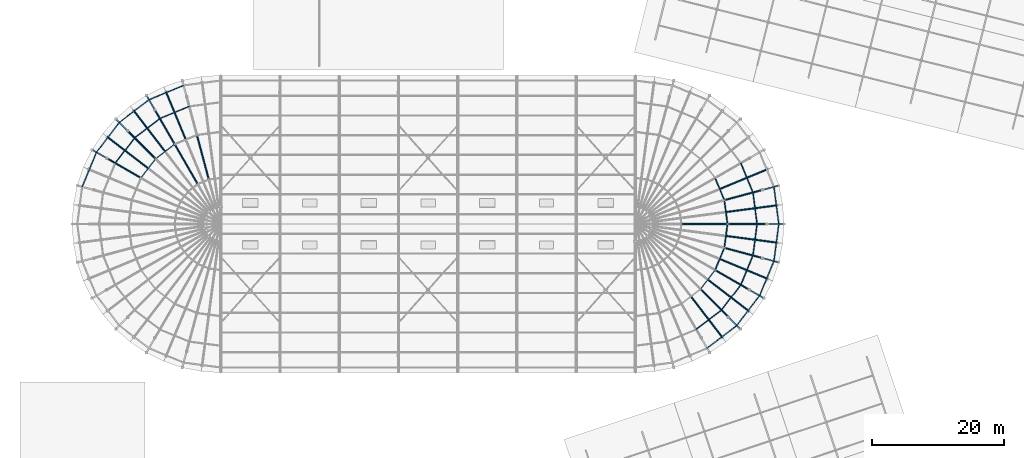
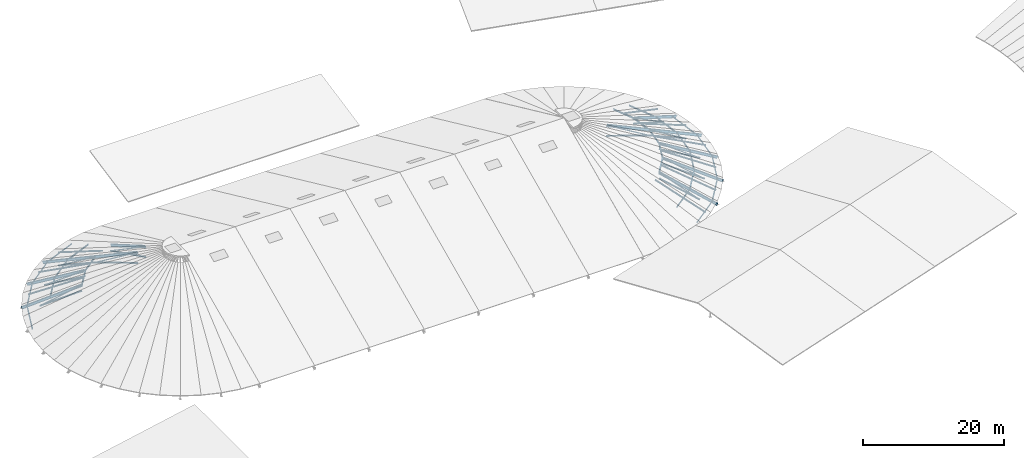
# One storey, part 41 of 107: 67 members.
"""IFC4 building model written with IfcOpenShell, lengths in metres."""

import ifcopenshell
import ifcopenshell.guid

model = None  # the IFC model being written
_history = None  # IfcOwnerHistory: only IFC2X3 demands one
_inside = {}  # id of a spatial element -> (the spatial element, [elements in it])
_under = {}  # id of a project, library or spatial element -> (it, [spatial elements below it])
_declared = {}  # id of a project -> (the project, [libraries it declares])
_typed = {}  # id of a type object -> (the type object, [elements of that type])
_made_of = {}  # id of a material, layer set ... -> (it, [elements and type objects made of it])


def new_model(schema):
    """Start an empty IFC model of exactly this schema.

    Asked for "IFC4X3", IfcOpenShell would pick the latest addendum, in which some entities
    have other attributes; the version numbers below select the first issue.
    IFC2X3 requires an IfcOwnerHistory on every rooted entity: one is made here for all.
    """
    global model, _history
    if schema == "IFC4X3":
        model = ifcopenshell.file(schema_version=(4, 3, 0, 0))
    else:
        model = ifcopenshell.file(schema=schema)
    _inside.clear()
    _under.clear()
    _declared.clear()
    _typed.clear()
    _made_of.clear()
    _history = None
    if model.schema == "IFC2X3":
        org = make("IfcOrganization", Name="unknown")
        user = make(
            "IfcPersonAndOrganization",
            ThePerson=make("IfcPerson", FamilyName="unknown"),
            TheOrganization=org,
        )
        app = make(
            "IfcApplication",
            ApplicationDeveloper=org,
            Version="unknown",
            ApplicationFullName="unknown",
            ApplicationIdentifier="unknown",
        )
        _history = make(
            "IfcOwnerHistory",
            OwningUser=user,
            OwningApplication=app,
            ChangeAction="ADDED",
            CreationDate=0,
        )
    return model


def make(cls, **values):
    """One entity of the class cls with the attributes given. An attribute that is None is left unset."""
    return model.create_entity(
        cls, **{name: value for name, value in values.items() if value is not None}
    )


def rooted(cls, **values):
    """An entity with a GlobalId (a new one), such as an element, a storey or a relation."""
    return make(cls, GlobalId=ifcopenshell.guid.new(), OwnerHistory=_history, **values)


def si_unit(unit_type, name, prefix=None):
    """IfcSIUnit, for example si_unit("LENGTHUNIT", "METRE", prefix="MILLI")."""
    return make("IfcSIUnit", UnitType=unit_type, Prefix=prefix, Name=name)


def derived_unit(unit_type, elements):
    """IfcDerivedUnit: a product of units, each with its exponent."""
    return make(
        "IfcDerivedUnit",
        Elements=[
            make("IfcDerivedUnitElement", Unit=unit, Exponent=power)
            for unit, power in elements
        ],
        UnitType=unit_type,
    )


def assignment(units):
    """IfcUnitAssignment: the units of a project."""
    return None if units is None else make("IfcUnitAssignment", Units=units)


def point(xyz):
    """IfcCartesianPoint."""
    return None if xyz is None else make("IfcCartesianPoint", Coordinates=xyz)


def direction(xyz):
    """IfcDirection."""
    return None if xyz is None else make("IfcDirection", DirectionRatios=xyz)


def frame(location, z_axis=None, x_axis=None):
    """IfcAxis2Placement3D, a coordinate frame: its origin and axes. An axis left out is left unset."""
    return make(
        "IfcAxis2Placement3D",
        Location=point(location),
        Axis=direction(z_axis),
        RefDirection=direction(x_axis),
    )


def frame_2d(location, x_axis=None):
    """IfcAxis2Placement2D, a coordinate frame in the plane: its origin and x axis."""
    return make(
        "IfcAxis2Placement2D", Location=point(location), RefDirection=direction(x_axis)
    )


def origin():
    """The frame at (0, 0, 0) with its axes left unset."""
    return frame((0.0, 0.0, 0.0))


def origin_2d():
    """The frame at (0, 0) in the plane with its x axis left unset."""
    return frame_2d((0.0, 0.0))


def place(relative_to, where):
    """IfcLocalPlacement: puts the frame where relative to a parent placement (None: the world)."""
    return make(
        "IfcLocalPlacement", PlacementRelTo=relative_to, RelativePlacement=where
    )


def context(
    kind, dimensions, precision=None, world=None, true_north=None, identifier=None
):
    """IfcGeometricRepresentationContext, for example the 3D "Model" context."""
    return make(
        "IfcGeometricRepresentationContext",
        ContextIdentifier=identifier,
        ContextType=kind,
        CoordinateSpaceDimension=dimensions,
        Precision=precision,
        WorldCoordinateSystem=world,
        TrueNorth=true_north,
    )


def subcontext(parent, identifier, kind, view, scale=None):
    """IfcGeometricRepresentationSubContext, for example "Body" below "Model"."""
    return make(
        "IfcGeometricRepresentationSubContext",
        ContextIdentifier=identifier,
        ContextType=kind,
        ParentContext=parent,
        TargetScale=scale,
        TargetView=view,
    )


def project(units=None, contexts=None):
    """IfcProject with its units and contexts."""
    return rooted(
        "IfcProject",
        Name="project",
        RepresentationContexts=contexts,
        UnitsInContext=assignment(units),
    )


def spatial(cls, under=None, at=None, **own):
    """A site, building, storey or space (cls), placed at a placement, below another one or the project."""
    s = rooted(cls, ObjectPlacement=at, **own)
    if under is not None:
        _under.setdefault(under.id(), (under, []))[1].append(s)
    return s


def profile(cls, at=None, kind="AREA", **sizes):
    """A parametric profile (cls). Its sizes go by their IFC names, for example OverallWidth=200.0."""
    return make(cls, ProfileType=kind, Position=at, **sizes)


def hollow_rectangle(**sizes):
    """IfcRectangleHollowProfileDef."""
    return profile("IfcRectangleHollowProfileDef", **sizes)


def hollow_circle(**sizes):
    """IfcCircleHollowProfileDef."""
    return profile("IfcCircleHollowProfileDef", **sizes)


def i_section(**sizes):
    """IfcIShapeProfileDef."""
    return profile("IfcIShapeProfileDef", **sizes)


def extrude(swept, where, along, depth):
    """IfcExtrudedAreaSolid: the profile swept, set in the frame where, extruded along a direction by depth."""
    return make(
        "IfcExtrudedAreaSolid",
        SweptArea=swept,
        Position=where,
        ExtrudedDirection=direction(along),
        Depth=depth,
    )


def shape(context_of_items, identifier, shape_type, items):
    """IfcShapeRepresentation: the items that make up one representation, for example the "Body"."""
    return make(
        "IfcShapeRepresentation",
        ContextOfItems=context_of_items,
        RepresentationIdentifier=identifier,
        RepresentationType=shape_type,
        Items=items,
    )


def material(Name=None, Category=None):
    """IfcMaterial."""
    return make("IfcMaterial", Name=Name, Category=Category)


def material_profile(
    of_material, cross_section, Name=None, Category=None, Priority=None
):
    """IfcMaterialProfile: a cross section and its material."""
    return make(
        "IfcMaterialProfile",
        Name=Name,
        Material=of_material,
        Profile=cross_section,
        Priority=Priority,
        Category=Category,
    )


def profile_set(profiles, Name=None, composite=None):
    """IfcMaterialProfileSet."""
    return make(
        "IfcMaterialProfileSet",
        Name=Name,
        MaterialProfiles=profiles,
        CompositeProfile=composite,
    )


def made_of(thing, what):
    """Note that an element or type object is made of a material, layer set ...; save() writes the relation."""
    if what is not None:
        _made_of.setdefault(what.id(), (what, []))[1].append(thing)
    return thing


def type_object(cls, material=None, **own):
    """A type object (cls), such as IfcWallType, which elements share."""
    return made_of(rooted(cls, **own), material)


def element(
    cls,
    number,
    at=None,
    inside=None,
    cuts=None,
    type_object=None,
    material=None,
    context=None,
    identifier="Body",
    shape_type=None,
    held_by="IfcProductDefinitionShape",
    body=None,
    shapes=None,
    **own,
):
    """One element of the class cls, such as IfcWall. Its Tag is "e" and its number.

    at: its placement. inside: the storey or other place that contains it. cuts: it is an
    opening in that element (IfcRelVoidsElement). A single representation is given by context,
    identifier, shape_type and body (its items); several are given by shapes. held_by: the class
    of the entity that holds the representations. save() writes the other relations.
    """
    e = rooted(cls, Tag="e%d" % number, ObjectPlacement=at, **own)
    if body is not None:
        shapes = [shape(context, identifier, shape_type, body)]
    if shapes is not None:
        e.Representation = make(held_by, Representations=shapes)
    if inside is not None:
        _inside.setdefault(inside.id(), (inside, []))[1].append(e)
    if cuts is not None:
        rooted(
            "IfcRelVoidsElement", RelatingBuildingElement=cuts, RelatedOpeningElement=e
        )
    if type_object is not None:
        _typed.setdefault(type_object.id(), (type_object, []))[1].append(e)
    return made_of(e, material)


def aggregate(whole, parts):
    """IfcRelAggregates: a whole, such as a stair, and the parts it consists of."""
    return rooted("IfcRelAggregates", RelatingObject=whole, RelatedObjects=parts)


def save(model, path):
    """Write the relations noted so far, then the file.

    IfcRelAggregates (storeys below a building ...), IfcRelContainedInSpatialStructure (elements
    in a storey), IfcRelDefinesByType, IfcRelAssociatesMaterial and IfcRelDeclares: one each for
    every whole, place, type object, material and project.
    """
    for whole, parts in _under.values():
        aggregate(whole, parts)
    for where, things in _inside.values():
        rooted(
            "IfcRelContainedInSpatialStructure",
            RelatedElements=things,
            RelatingStructure=where,
        )
    for kind, things in _typed.values():
        rooted("IfcRelDefinesByType", RelatedObjects=things, RelatingType=kind)
    for what, things in _made_of.values():
        rooted("IfcRelAssociatesMaterial", RelatedObjects=things, RelatingMaterial=what)
    for by, libraries in _declared.values():
        rooted("IfcRelDeclares", RelatingContext=by, RelatedDefinitions=libraries)
    model.write(path)


model = new_model("IFC4")

# Units and contexts
model_context = context("Model", 3, precision=1e-05, world=origin(), true_north=direction((0.0, 1.0)))
body_context = subcontext(model_context, "Body", "Model", "MODEL_VIEW")
ifc_project = project(units=[si_unit("LENGTHUNIT", "METRE"), si_unit("AREAUNIT", "SQUARE_METRE"), si_unit("VOLUMEUNIT", "CUBIC_METRE"), si_unit("PLANEANGLEUNIT", "RADIAN"), si_unit("MASSUNIT", "GRAM", prefix="KILO"), si_unit("THERMODYNAMICTEMPERATUREUNIT", "KELVIN"), si_unit("TIMEUNIT", "SECOND"), derived_unit("THERMALTRANSMITTANCEUNIT", [(si_unit("MASSUNIT", "GRAM", prefix="KILO"), 1), (si_unit("THERMODYNAMICTEMPERATUREUNIT", "KELVIN"), -1), (si_unit("TIMEUNIT", "SECOND"), -3)])], contexts=[model_context])

# Site, building, storey
site_placement = place(None, origin())
site = spatial("IfcSite", under=ifc_project, at=site_placement, CompositionType="ELEMENT")
building_placement = place(site_placement, origin())
building = spatial("IfcBuilding", under=site, at=building_placement, Name="Cambertide Market Hall", CompositionType="ELEMENT")
storey_placement = place(building_placement, frame((0.0, 0.0, 18.300048828125)))
storey = spatial("IfcBuildingStorey", under=building, at=storey_placement, Name="RF", CompositionType="ELEMENT", Elevation=18.300048828125)

# Members
ifc_material_1 = material(Name="Steel S355", Category="steel")
ifc_material_profile_1 = material_profile(ifc_material_1, hollow_circle(Radius=0.136474609375, WallThickness=0.010009765625, at=origin_2d()), Name="CHS 273x10")
ifc_profile_set_1 = profile_set([ifc_material_profile_1], Name="Steel S355")
member_type_1 = type_object("IfcMemberType", Name="Arched Truss Chord CHS 273x10", PredefinedType="CHORD", material=ifc_profile_set_1)
member_1_placement = place(storey_placement, frame((40.188232421875, 78.761474609375, -5.381591796875), z_axis=(-0.245105868419, 0.914729420004, -0.321236986422), x_axis=(-0.965924543531, -0.258823832372, 0.0)))
element("IfcMember", 1, at=member_1_placement, inside=storey, type_object=member_type_1, Name="Half-Cone Radial Arch Chord W-02-2", PredefinedType="CHORD", context=body_context, shape_type="SweptSolid", body=[
    extrude(hollow_circle(Radius=0.136474609375, WallThickness=0.010009765625, at=origin_2d()), origin(), (0.0, 0.0, 1.0), 7.391845703125),
])
member_2_placement = place(storey_placement, frame((38.5, 78.062255859375, -5.381591796875), z_axis=(-0.473508125204, 0.820117658259, -0.321243026348), x_axis=(-0.866019471182, -0.500010275428, 0.0)))
element("IfcMember", 2, at=member_2_placement, inside=storey, type_object=member_type_1, Name="Half-Cone Radial Arch Chord W-04-2", PredefinedType="CHORD", context=body_context, shape_type="SweptSolid", body=[
    extrude(hollow_circle(Radius=0.136474609375, WallThickness=0.010009765625, at=origin_2d()), origin(), (0.0, 0.0, 1.0), 7.3916015625),
])
for number, where, z_axis, x_axis, name in (
    (3, (35.0, 84.124267578125, -7.756103515625), (-0.458098458952, 0.7934706706, -0.400687030991), (-0.866031096941, -0.499990139034, 0.0), "Half-Cone Radial Arch Chord W-04-3"),
    (4, (32.1005859375, 81.8994140625, -7.756103515625), (-0.647860639623, 0.647860639623, -0.400690882419), (-0.707106781187, -0.707106781187, 0.0), "Half-Cone Radial Arch Chord W-06-3"),
    (5, (29.875732421875, 79.0, -7.756103515625), (-0.7934706706, 0.458098458952, -0.400687030991), (-0.499990139034, -0.866031096941, 0.0), "Half-Cone Radial Arch Chord W-08-3"),
    (6, (114.8994140625, 62.1005859375, -7.756103515625), (0.647860639623, -0.647860639623, -0.400690882419), (0.707106781187, 0.707106781187, 0.0), "Half-Cone Radial Arch Chord E-06-3"),
    (7, (117.124267578125, 65.0, -7.756103515625), (0.7934706706, -0.458098458952, -0.400687030991), (0.499990139034, 0.866031096941, 0.0), "Half-Cone Radial Arch Chord E-08-3"),
    (8, (118.52294921875, 68.37646484375, -7.756103515625), (0.885001969521, -0.23710402823, -0.400690895506), (0.258786931944, 0.965934430412, 0.0), "Half-Cone Radial Arch Chord E-10-3"),
):
    element("IfcMember", number, at=place(storey_placement, frame(where, z_axis=z_axis, x_axis=x_axis)), inside=storey, type_object=member_type_1, Name=name, PredefinedType="CHORD", context=body_context, shape_type="SweptSolid", body=[
        extrude(hollow_circle(Radius=0.136474609375, WallThickness=0.010009765625, at=origin_2d()), origin(), (0.0, 0.0, 1.0), 6.548828125),
    ])
member_3_placement = place(storey_placement, frame((112.0, 72.0, -5.381591796875), z_axis=(0.946998797137, 0.0, -0.321237105921), x_axis=(0.0, 1.0, 0.0)))
element("IfcMember", 9, at=member_3_placement, inside=storey, type_object=member_type_1, Name="Half-Cone Radial Arch Chord E-12-2", PredefinedType="CHORD", context=body_context, shape_type="SweptSolid", body=[
    extrude(hollow_circle(Radius=0.136474609375, WallThickness=0.010009765625, at=origin_2d()), origin(), (0.0, 0.0, 1.0), 7.391845703125),
])
member_4_placement = place(storey_placement, frame((119.0, 72.0, -7.756103515625), z_axis=(0.916212086296, 0.0, -0.400693664693), x_axis=(0.0, 1.0, 0.0)))
element("IfcMember", 10, at=member_4_placement, inside=storey, type_object=member_type_1, Name="Half-Cone Radial Arch Chord E-12-3", PredefinedType="CHORD", context=body_context, shape_type="SweptSolid", body=[
    extrude(hollow_circle(Radius=0.136474609375, WallThickness=0.010009765625, at=origin_2d()), origin(), (0.0, 0.0, 1.0), 6.548583984375),
])
member_5_placement = place(storey_placement, frame((118.52294921875, 75.62353515625, -7.756103515625), z_axis=(0.885001969521, 0.23710402823, -0.400690895506), x_axis=(-0.258786931944, 0.965934430412, 0.0)))
element("IfcMember", 11, at=member_5_placement, inside=storey, type_object=member_type_1, Name="Half-Cone Radial Arch Chord E-14-3", PredefinedType="CHORD", context=body_context, shape_type="SweptSolid", body=[
    extrude(hollow_circle(Radius=0.136474609375, WallThickness=0.010009765625, at=origin_2d()), origin(), (0.0, 0.0, 1.0), 6.548828125),
])
ifc_material_2 = material(Name="Steel S355", Category="steel")
ifc_material_profile_2 = material_profile(ifc_material_2, hollow_circle(Radius=0.136474609375, WallThickness=0.010009765625, at=origin_2d()), Name="CHS 273x10")
ifc_profile_set_2 = profile_set([ifc_material_profile_2], Name="Steel S355")
member_type_2 = type_object("IfcMemberType", Name="Exterior Radial Fan Rafter CHS 273x10", PredefinedType="RAFTER", material=ifc_profile_set_2)
for number, where, z_axis, x_axis, name in (
    (12, (36.642333984375, 84.934326171875, -6.7900390625), (-0.347657877112, 0.839343821258, -0.417894663997), (-0.923883314027, -0.382674302852, 0.0), "RAF-W-03-B"),
    (13, (33.477294921875, 83.10693359375, -6.7900390625), (-0.553049453634, 0.720764281004, -0.417893710247), (-0.793359948734, -0.608752816622, 0.0), "RAF-W-05-B"),
    (14, (30.89306640625, 80.522705078125, -6.7900390625), (-0.720764281004, 0.553049453634, -0.417893710247), (-0.608752816622, -0.793359948734, 0.0), "RAF-W-07-B"),
    (15, (113.522705078125, 60.89306640625, -6.7900390625), (0.553049453634, -0.720764281004, -0.417893710247), (0.793359948734, 0.608752816622, 0.0), "RAF-E-05-B"),
    (16, (116.10693359375, 63.477294921875, -6.7900390625), (0.720764281004, -0.553049453634, -0.417893710247), (0.608752816622, 0.793359948734, 0.0), "RAF-E-07-B"),
    (17, (117.934326171875, 66.642333984375, -6.7900390625), (0.839343821258, -0.347657877112, -0.417894663997), (0.382674302852, 0.923883314027, 0.0), "RAF-E-09-B"),
    (18, (118.880126953125, 70.172607421875, -6.7900390625), (0.900726282096, -0.118576480501, -0.417889678043), (0.130519284757, 0.991445770734, 0.0), "RAF-E-11-B"),
    (19, (118.880126953125, 73.827392578125, -6.7900390625), (0.900726282096, 0.118576480501, -0.417889678043), (-0.130519284757, 0.991445770734, 0.0), "RAF-E-13-B"),
    (20, (117.934326171875, 77.357666015625, -6.7900390625), (0.839343821258, 0.347657877112, -0.417894663997), (-0.382674302852, 0.923883314027, 0.0), "RAF-E-15-B"),
):
    element("IfcMember", number, at=place(storey_placement, frame(where, z_axis=z_axis, x_axis=x_axis)), inside=storey, type_object=member_type_2, Name=name, PredefinedType="RAFTER", context=body_context, shape_type="SweptSolid", body=[
        extrude(hollow_circle(Radius=0.136474609375, WallThickness=0.010009765625, at=origin_2d()), origin(), (0.0, 0.0, 1.0), 8.585693359375),
    ])
ifc_material_3 = material(Name="Steel S355", Category="steel")
ifc_material_profile_3 = material_profile(ifc_material_3, i_section(OverallWidth=0.18994140625, OverallDepth=0.449951171875, WebThickness=0.009521484375, FlangeThickness=0.0146484375, FilletRadius=0.02099609375, at=origin_2d()), Name="IPE 450")
ifc_profile_set_3 = profile_set([ifc_material_profile_3], Name="Steel S355")
member_type_3 = type_object("IfcMemberType", Name="Exterior Radial Fan Rafter IPE 450", PredefinedType="RAFTER", material=ifc_profile_set_3)
for number, where, z_axis, x_axis, name in (
    (21, (35.0, 84.124267578125, -6.7900390625), (-0.454241443881, 0.78677929532, -0.417903159975), (-0.866028165386, -0.499995216735, 0.0), "Half-Cone Radial Truss Rafter W-04-3"),
    (22, (32.1005859375, 81.8994140625, -6.7900390625), (-0.642401539007, 0.642401539007, -0.417900138025), (-0.707106781187, -0.707106781187, 0.0), "Half-Cone Radial Truss Rafter W-06-3"),
    (23, (29.875732421875, 79.0, -6.7900390625), (-0.78677929532, 0.454241443881, -0.417903159975), (-0.499995216735, -0.866028165386, 0.0), "Half-Cone Radial Truss Rafter W-08-3"),
    (24, (114.8994140625, 62.1005859375, -6.7900390625), (0.642401539007, -0.642401539007, -0.417900138025), (0.707106781187, 0.707106781187, 0.0), "Half-Cone Radial Truss Rafter E-06-3"),
    (25, (117.124267578125, 65.0, -6.7900390625), (0.78677929532, -0.454241443881, -0.417903159975), (0.499995216735, 0.866028165386, 0.0), "Half-Cone Radial Truss Rafter E-08-3"),
):
    element("IfcMember", number, at=place(storey_placement, frame(where, z_axis=z_axis, x_axis=x_axis)), inside=storey, type_object=member_type_3, Name=name, PredefinedType="RAFTER", context=body_context, shape_type="SweptSolid", body=[
        extrude(i_section(OverallWidth=0.18994140625, OverallDepth=0.449951171875, WebThickness=0.009521484375, FlangeThickness=0.0146484375, FilletRadius=0.02099609375, at=origin_2d()), origin(), (0.0, 0.0, 1.0), 9.466552734375),
    ])
for number, where, z_axis, x_axis, name in (
    (26, (118.52294921875, 68.37646484375, -6.7900390625), (0.877530692762, -0.235134381364, -0.417913514931), (0.258819806009, 0.965925622404, 0.0), "Half-Cone Radial Truss Rafter E-10-3"),
    (27, (119.0, 72.0, -6.7900390625), (0.908490061013, 0.0, -0.417906459679), (0.0, 1.0, 0.0), "Half-Cone Radial Truss Rafter E-12-3"),
    (28, (118.52294921875, 75.62353515625, -6.7900390625), (0.877530692762, 0.235134381364, -0.417913514931), (-0.258819806009, 0.965925622404, 0.0), "Half-Cone Radial Truss Rafter E-14-3"),
):
    element("IfcMember", number, at=place(storey_placement, frame(where, z_axis=z_axis, x_axis=x_axis)), inside=storey, type_object=member_type_3, Name=name, PredefinedType="RAFTER", context=body_context, shape_type="SweptSolid", body=[
        extrude(i_section(OverallWidth=0.18994140625, OverallDepth=0.449951171875, WebThickness=0.009521484375, FlangeThickness=0.0146484375, FilletRadius=0.02099609375, at=origin_2d()), origin(), (0.0, 0.0, 1.0), 9.46630859375),
    ])
ifc_material_4 = material(Name="Steel S275", Category="steel")
ifc_material_profile_4 = material_profile(ifc_material_4, hollow_rectangle(XDim=0.10009765625, YDim=0.199951171875, WallThickness=0.00634765625, InnerFilletRadius=0.00634765625, OuterFilletRadius=0.0126953125, at=origin_2d()), Name="RHS 200x100x6.3")
ifc_profile_set_4 = profile_set([ifc_material_profile_4], Name="Steel S275")
member_type_4 = type_object("IfcMemberType", Name="Exterior Roof Purlin RHS 200x100x6.3", PredefinedType="PURLIN", material=ifc_profile_set_4)
member_6_placement = place(storey_placement, frame((36.357666015625, 93.05712890625, -10.3779296875), z_axis=(-0.923880883447, -0.382680170901, 0.0), x_axis=(0.382680170901, -0.923880883447, 0.0)))
element("IfcMember", 29, at=member_6_placement, inside=storey, type_object=member_type_4, Name="CPUR-W-218-02", PredefinedType="PURLIN", context=body_context, shape_type="SweptSolid", body=[
    extrude(hollow_rectangle(XDim=0.10009765625, YDim=0.199951171875, WallThickness=0.00634765625, InnerFilletRadius=0.00634765625, OuterFilletRadius=0.0126953125, at=origin_2d()), origin(), (0.0, 0.0, 1.0), 5.690673828125),
])
for number, where, z_axis, x_axis, name in (
    (30, (31.10009765625, 90.87939453125, -10.3779296875), (-0.793372925494, -0.608735904226, 0.0), (0.608735904226, -0.793372925494, 0.0), "CPUR-W-218-03"),
    (31, (26.5849609375, 87.4150390625, -10.3779296875), (-0.608735904226, -0.793372925494, 0.0), (0.793372925494, -0.608735904226, 0.0), "CPUR-W-218-04"),
):
    element("IfcMember", number, at=place(storey_placement, frame(where, z_axis=z_axis, x_axis=x_axis)), inside=storey, type_object=member_type_4, Name=name, PredefinedType="PURLIN", context=body_context, shape_type="SweptSolid", body=[
        extrude(hollow_rectangle(XDim=0.10009765625, YDim=0.199951171875, WallThickness=0.00634765625, InnerFilletRadius=0.00634765625, OuterFilletRadius=0.0126953125, at=origin_2d()), origin(), (0.0, 0.0, 1.0), 5.691162109375),
    ])
member_7_placement = place(storey_placement, frame((23.12060546875, 82.89990234375, -10.3779296875), z_axis=(-0.382680170901, -0.923880883447, 0.0), x_axis=(0.923880883447, -0.382680170901, 0.0)))
element("IfcMember", 32, at=member_7_placement, inside=storey, type_object=member_type_4, Name="CPUR-W-218-05", PredefinedType="PURLIN", context=body_context, shape_type="SweptSolid", body=[
    extrude(hollow_rectangle(XDim=0.10009765625, YDim=0.199951171875, WallThickness=0.00634765625, InnerFilletRadius=0.00634765625, OuterFilletRadius=0.0126953125, at=origin_2d()), origin(), (0.0, 0.0, 1.0), 5.690673828125),
])
for number, where, z_axis, x_axis, name in (
    (33, (115.89990234375, 53.12060546875, -10.3779296875), (0.793372925494, 0.608735904226, 0.0), (-0.608735904226, 0.793372925494, 0.0), "CPUR-E-218-03"),
    (34, (120.4150390625, 56.5849609375, -10.3779296875), (0.608735904226, 0.793372925494, 0.0), (-0.793372925494, 0.608735904226, 0.0), "CPUR-E-218-04"),
):
    element("IfcMember", number, at=place(storey_placement, frame(where, z_axis=z_axis, x_axis=x_axis)), inside=storey, type_object=member_type_4, Name=name, PredefinedType="PURLIN", context=body_context, shape_type="SweptSolid", body=[
        extrude(hollow_rectangle(XDim=0.10009765625, YDim=0.199951171875, WallThickness=0.00634765625, InnerFilletRadius=0.00634765625, OuterFilletRadius=0.0126953125, at=origin_2d()), origin(), (0.0, 0.0, 1.0), 5.691162109375),
    ])
member_8_placement = place(storey_placement, frame((123.87939453125, 61.10009765625, -10.3779296875), z_axis=(0.382680170901, 0.923880883447, 0.0), x_axis=(-0.923880883447, 0.382680170901, 0.0)))
element("IfcMember", 35, at=member_8_placement, inside=storey, type_object=member_type_4, Name="CPUR-E-218-05", PredefinedType="PURLIN", context=body_context, shape_type="SweptSolid", body=[
    extrude(hollow_rectangle(XDim=0.10009765625, YDim=0.199951171875, WallThickness=0.00634765625, InnerFilletRadius=0.00634765625, OuterFilletRadius=0.0126953125, at=origin_2d()), origin(), (0.0, 0.0, 1.0), 5.690673828125),
])
for number, where, z_axis, x_axis, name in (
    (36, (126.05712890625, 66.357666015625, -10.3779296875), (0.130542179395, 0.991442756491, 0.0), (-0.991442756491, 0.130542179395, 0.0), "CPUR-E-218-06"),
    (37, (126.800048828125, 72.0, -10.3779296875), (-0.130542179395, 0.991442756491, 0.0), (-0.991442756491, -0.130542179395, 0.0), "CPUR-E-218-07"),
):
    element("IfcMember", number, at=place(storey_placement, frame(where, z_axis=z_axis, x_axis=x_axis)), inside=storey, type_object=member_type_4, Name=name, PredefinedType="PURLIN", context=body_context, shape_type="SweptSolid", body=[
        extrude(hollow_rectangle(XDim=0.10009765625, YDim=0.199951171875, WallThickness=0.00634765625, InnerFilletRadius=0.00634765625, OuterFilletRadius=0.0126953125, at=origin_2d()), origin(), (0.0, 0.0, 1.0), 5.69091796875),
    ])
ifc_material_5 = material(Name="Steel S355", Category="steel")
ifc_material_profile_5 = material_profile(ifc_material_5, i_section(OverallWidth=0.18994140625, OverallDepth=0.449951171875, WebThickness=0.009521484375, FlangeThickness=0.0146484375, FilletRadius=0.02099609375, at=origin_2d()), Name="IPE 450")
ifc_profile_set_5 = profile_set([ifc_material_profile_5], Name="Steel S355")
member_type_5 = type_object("IfcMemberType", Name="Radial Fan Rafter IPE 450", PredefinedType="RAFTER", material=ifc_profile_set_5)
member_9_placement = place(storey_placement, frame((40.188232421875, 78.761474609375, -3.570068359375), z_axis=(-0.235139371303, 0.877534683767, -0.417902326925), x_axis=(-0.965924543531, -0.258823832372, 0.0)))
element("IfcMember", 38, at=member_9_placement, inside=storey, type_object=member_type_5, Name="Half-Cone Radial Truss Rafter W-02-2", PredefinedType="RAFTER", context=body_context, shape_type="SweptSolid", body=[
    extrude(i_section(OverallWidth=0.18994140625, OverallDepth=0.449951171875, WebThickness=0.009521484375, FlangeThickness=0.0146484375, FilletRadius=0.02099609375, at=origin_2d()), origin(), (0.0, 0.0, 1.0), 7.705078125),
])
member_10_placement = place(storey_placement, frame((38.5, 78.062255859375, -3.570068359375), z_axis=(-0.454253652919, 0.786768847794, -0.417909558339), x_axis=(-0.866019471182, -0.500010275428, 0.0)))
element("IfcMember", 39, at=member_10_placement, inside=storey, type_object=member_type_5, Name="Half-Cone Radial Truss Rafter W-04-2", PredefinedType="RAFTER", context=body_context, shape_type="SweptSolid", body=[
    extrude(i_section(OverallWidth=0.18994140625, OverallDepth=0.449951171875, WebThickness=0.009521484375, FlangeThickness=0.0146484375, FilletRadius=0.02099609375, at=origin_2d()), origin(), (0.0, 0.0, 1.0), 7.704833984375),
])
member_11_placement = place(storey_placement, frame((112.0, 72.0, -3.570068359375), z_axis=(0.90849189626, 0.0, -0.417902469998), x_axis=(0.0, 1.0, 0.0)))
element("IfcMember", 40, at=member_11_placement, inside=storey, type_object=member_type_5, Name="Half-Cone Radial Truss Rafter E-12-2", PredefinedType="RAFTER", context=body_context, shape_type="SweptSolid", body=[
    extrude(i_section(OverallWidth=0.18994140625, OverallDepth=0.449951171875, WebThickness=0.009521484375, FlangeThickness=0.0146484375, FilletRadius=0.02099609375, at=origin_2d()), origin(), (0.0, 0.0, 1.0), 7.705078125),
])
ifc_material_6 = material(Name="Steel S275", Category="steel")
ifc_material_profile_6 = material_profile(ifc_material_6, i_section(OverallWidth=0.1201171875, OverallDepth=0.239990234375, WebThickness=0.006103515625, FlangeThickness=0.009765625, FilletRadius=0.014892578125, at=origin_2d()), Name="IPE 240")
ifc_profile_set_6 = profile_set([ifc_material_profile_6], Name="Steel S275")
member_type_6 = type_object("IfcMemberType", Name="Roof Purlin IPE 240", PredefinedType="PURLIN", material=ifc_profile_set_6)
for number, where, z_axis, x_axis, name in (
    (41, (37.2119140625, 89.86962890625, -8.860107421875), (-0.923882518405, -0.382676223699, 0.0), (0.382676223699, -0.923882518405, 0.0), "CPUR-W-185-02"),
    (42, (32.75, 88.021484375, -8.860107421875), (-0.793363832402, -0.60874775518, 0.0), (0.60874775518, -0.793363832402, 0.0), "CPUR-W-185-03"),
    (43, (28.91845703125, 85.08154296875, -8.860107421875), (-0.60874775518, -0.793363832402, 0.0), (0.793363832402, -0.60874775518, 0.0), "CPUR-W-185-04"),
    (44, (114.25, 55.978515625, -8.860107421875), (0.793363832402, 0.60874775518, 0.0), (-0.60874775518, 0.793363832402, 0.0), "CPUR-E-185-03"),
    (45, (118.08154296875, 58.91845703125, -8.860107421875), (0.60874775518, 0.793363832402, 0.0), (-0.793363832402, 0.60874775518, 0.0), "CPUR-E-185-04"),
    (46, (121.021484375, 62.75, -8.860107421875), (0.382676223699, 0.923882518405, 0.0), (-0.923882518405, 0.382676223699, 0.0), "CPUR-E-185-05"),
):
    element("IfcMember", number, at=place(storey_placement, frame(where, z_axis=z_axis, x_axis=x_axis)), inside=storey, type_object=member_type_6, Name=name, PredefinedType="PURLIN", context=body_context, shape_type="SweptSolid", body=[
        extrude(i_section(OverallWidth=0.1201171875, OverallDepth=0.239990234375, WebThickness=0.006103515625, FlangeThickness=0.009765625, FilletRadius=0.014892578125, at=origin_2d()), origin(), (0.0, 0.0, 1.0), 4.82958984375),
    ])
for number, where, z_axis, x_axis, name in (
    (47, (122.86962890625, 67.2119140625, -8.860107421875), (0.130527743461, 0.991444657148, 0.0), (-0.991444657148, 0.130527743461, 0.0), "CPUR-E-185-06"),
    (48, (123.5, 72.0, -8.860107421875), (-0.130527743461, 0.991444657148, 0.0), (-0.991444657148, -0.130527743461, 0.0), "CPUR-E-185-07"),
):
    element("IfcMember", number, at=place(storey_placement, frame(where, z_axis=z_axis, x_axis=x_axis)), inside=storey, type_object=member_type_6, Name=name, PredefinedType="PURLIN", context=body_context, shape_type="SweptSolid", body=[
        extrude(i_section(OverallWidth=0.1201171875, OverallDepth=0.239990234375, WebThickness=0.006103515625, FlangeThickness=0.009765625, FilletRadius=0.014892578125, at=origin_2d()), origin(), (0.0, 0.0, 1.0), 4.829345703125),
    ])
member_12_placement = place(storey_placement, frame((122.86962890625, 76.7880859375, -8.860107421875), z_axis=(-0.382676223699, 0.923882518405, 0.0), x_axis=(-0.923882518405, -0.382676223699, 0.0)))
element("IfcMember", 49, at=member_12_placement, inside=storey, type_object=member_type_6, Name="CPUR-E-185-08", PredefinedType="PURLIN", context=body_context, shape_type="SweptSolid", body=[
    extrude(i_section(OverallWidth=0.1201171875, OverallDepth=0.239990234375, WebThickness=0.006103515625, FlangeThickness=0.009765625, FilletRadius=0.014892578125, at=origin_2d()), origin(), (0.0, 0.0, 1.0), 4.82958984375),
])
ifc_material_7 = material(Name="Steel S275", Category="steel")
ifc_material_profile_7 = material_profile(ifc_material_7, i_section(OverallWidth=0.135009765625, OverallDepth=0.27001953125, WebThickness=0.006591796875, FlangeThickness=0.01025390625, FilletRadius=0.014892578125, at=origin_2d()), Name="IPE 270")
ifc_profile_set_7 = profile_set([ifc_material_profile_7], Name="Steel S275")
member_type_7 = type_object("IfcMemberType", Name="Roof Purlin IPE 270", PredefinedType="PURLIN", material=ifc_profile_set_7)
for number, where, z_axis, x_axis, name in (
    (50, (35.0, 84.124267578125, -6.7900390625), (-0.793346091011, -0.608770876338, 0.0), (0.608770876338, -0.793346091011, 0.0), "CPUR-W-140-03"),
    (51, (32.1005859375, 81.8994140625, -6.7900390625), (-0.608770876338, -0.793346091011, 0.0), (0.793346091011, -0.608770876338, 0.0), "CPUR-W-140-04"),
    (52, (114.8994140625, 62.1005859375, -6.7900390625), (0.608770876338, 0.793346091011, 0.0), (-0.793346091011, 0.608770876338, 0.0), "CPUR-E-140-04"),
    (53, (117.124267578125, 65.0, -6.7900390625), (0.382707746954, 0.923869460704, 0.0), (-0.923869460704, 0.382707746954, 0.0), "CPUR-E-140-05"),
    (54, (118.52294921875, 68.37646484375, -6.7900390625), (0.130527087244, 0.991444743541, 0.0), (-0.991444743541, 0.130527087244, 0.0), "CPUR-E-140-06"),
    (55, (119.0, 72.0, -6.7900390625), (-0.130527087244, 0.991444743541, 0.0), (-0.991444743541, -0.130527087244, 0.0), "CPUR-E-140-07"),
    (56, (118.52294921875, 75.62353515625, -6.7900390625), (-0.382707746954, 0.923869460704, 0.0), (-0.923869460704, -0.382707746954, 0.0), "CPUR-E-140-08"),
):
    element("IfcMember", number, at=place(storey_placement, frame(where, z_axis=z_axis, x_axis=x_axis)), inside=storey, type_object=member_type_7, Name=name, PredefinedType="PURLIN", context=body_context, shape_type="SweptSolid", body=[
        extrude(i_section(OverallWidth=0.135009765625, OverallDepth=0.27001953125, WebThickness=0.006591796875, FlangeThickness=0.01025390625, FilletRadius=0.014892578125, at=origin_2d()), origin(), (0.0, 0.0, 1.0), 3.65478515625),
    ])
ifc_material_8 = material(Name="Steel S355", Category="steel")
ifc_material_profile_8 = material_profile(ifc_material_8, hollow_circle(Radius=0.084228515625, WallThickness=0.00634765625, at=origin_2d()), Name="CHS 168.3x6.3")
ifc_profile_set_8 = profile_set([ifc_material_profile_8], Name="Steel S355")
member_type_8 = type_object("IfcMemberType", Name="Structural Brace CHS 168.3x6.3", PredefinedType="BRACE", material=ifc_profile_set_8)
member_13_placement = place(storey_placement, frame((38.37646484375, 85.52294921875, -7.756103515625), z_axis=(0.222134899502, -0.829002296418, 0.513236085011), x_axis=(0.965924543531, 0.258823832372, 0.0)))
element("IfcMember", 57, at=member_13_placement, inside=storey, type_object=member_type_8, Name="RWB-W-02-D2", PredefinedType="BRACE", context=body_context, shape_type="SweptSolid", body=[
    extrude(hollow_circle(Radius=0.084228515625, WallThickness=0.00634765625, at=origin_2d()), origin(), (0.0, 0.0, 1.0), 8.15625),
])
member_14_placement = place(storey_placement, frame((35.0, 84.124267578125, -7.756103515625), z_axis=(0.429130184304, -0.743254916034, 0.513244010887), x_axis=(0.866019471182, 0.500010275428, 0.0)))
element("IfcMember", 58, at=member_14_placement, inside=storey, type_object=member_type_8, Name="RWB-W-04-D2", PredefinedType="BRACE", context=body_context, shape_type="SweptSolid", body=[
    extrude(hollow_circle(Radius=0.084228515625, WallThickness=0.00634765625, at=origin_2d()), origin(), (0.0, 0.0, 1.0), 8.156005859375),
])
for number, where, z_axis, x_axis, name in (
    (59, (32.0, 89.320556640625, -10.380126953125), (0.429052626638, -0.743160490346, 0.513445546445), (0.866031096941, 0.499990139034, 0.0), "RWB-W-04-D3"),
    (60, (27.85791015625, 86.14208984375, -10.380126953125), (0.60678217885, -0.60678217885, 0.513449875704), (0.707106781187, 0.707106781187, 0.0), "RWB-W-06-D3"),
    (61, (24.679443359375, 82.0, -10.380126953125), (0.743160490346, -0.429052626638, 0.513445546445), (0.499990139034, 0.866031096941, 0.0), "RWB-W-08-D3"),
    (62, (119.14208984375, 57.85791015625, -10.380126953125), (-0.60678217885, 0.60678217885, 0.513449875704), (-0.707106781187, -0.707106781187, 0.0), "RWB-E-06-D3"),
    (63, (122.320556640625, 62.0, -10.380126953125), (-0.743160490346, 0.429052626638, 0.513445546445), (-0.499990139034, -0.866031096941, 0.0), "RWB-E-08-D3"),
    (64, (124.318603515625, 66.82373046875, -10.380126953125), (-0.828887245737, 0.222070132815, 0.513449890415), (-0.258786931944, -0.965934430412, 0.0), "RWB-E-10-D3"),
):
    element("IfcMember", number, at=place(storey_placement, frame(where, z_axis=z_axis, x_axis=x_axis)), inside=storey, type_object=member_type_8, Name=name, PredefinedType="BRACE", context=body_context, shape_type="SweptSolid", body=[
        extrude(hollow_circle(Radius=0.084228515625, WallThickness=0.00634765625, at=origin_2d()), origin(), (0.0, 0.0, 1.0), 6.9921875),
    ])
member_15_placement = place(storey_placement, frame((119.0, 72.0, -7.756103515625), z_axis=(-0.858247376972, 0.0, 0.513236241823), x_axis=(0.0, -1.0, 0.0)))
element("IfcMember", 65, at=member_15_placement, inside=storey, type_object=member_type_8, Name="RWB-E-12-D2", PredefinedType="BRACE", context=body_context, shape_type="SweptSolid", body=[
    extrude(hollow_circle(Radius=0.084228515625, WallThickness=0.00634765625, at=origin_2d()), origin(), (0.0, 0.0, 1.0), 8.15625),
])
member_16_placement = place(storey_placement, frame((125.0, 72.0, -10.380126953125), z_axis=(-0.858117715439, 0.0, 0.513453003155), x_axis=(0.0, -1.0, 0.0)))
element("IfcMember", 66, at=member_16_placement, inside=storey, type_object=member_type_8, Name="RWB-E-12-D3", PredefinedType="BRACE", context=body_context, shape_type="SweptSolid", body=[
    extrude(hollow_circle(Radius=0.084228515625, WallThickness=0.00634765625, at=origin_2d()), origin(), (0.0, 0.0, 1.0), 6.991943359375),
])
member_17_placement = place(storey_placement, frame((124.318603515625, 77.17626953125, -10.380126953125), z_axis=(-0.828887245737, -0.222070132815, 0.513449890415), x_axis=(0.258786931944, -0.965934430412, 0.0)))
element("IfcMember", 67, at=member_17_placement, inside=storey, type_object=member_type_8, Name="RWB-E-14-D3", PredefinedType="BRACE", context=body_context, shape_type="SweptSolid", body=[
    extrude(hollow_circle(Radius=0.084228515625, WallThickness=0.00634765625, at=origin_2d()), origin(), (0.0, 0.0, 1.0), 6.9921875),
])

save(model, "model.ifc")
